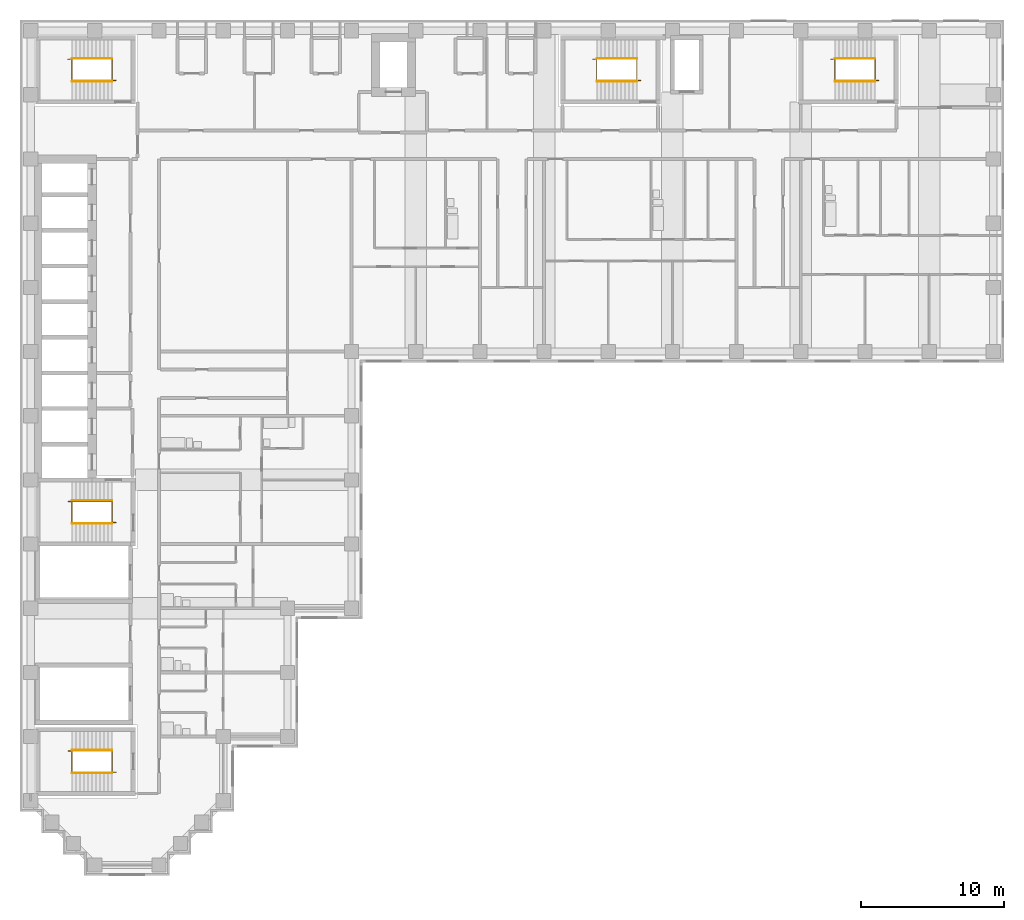
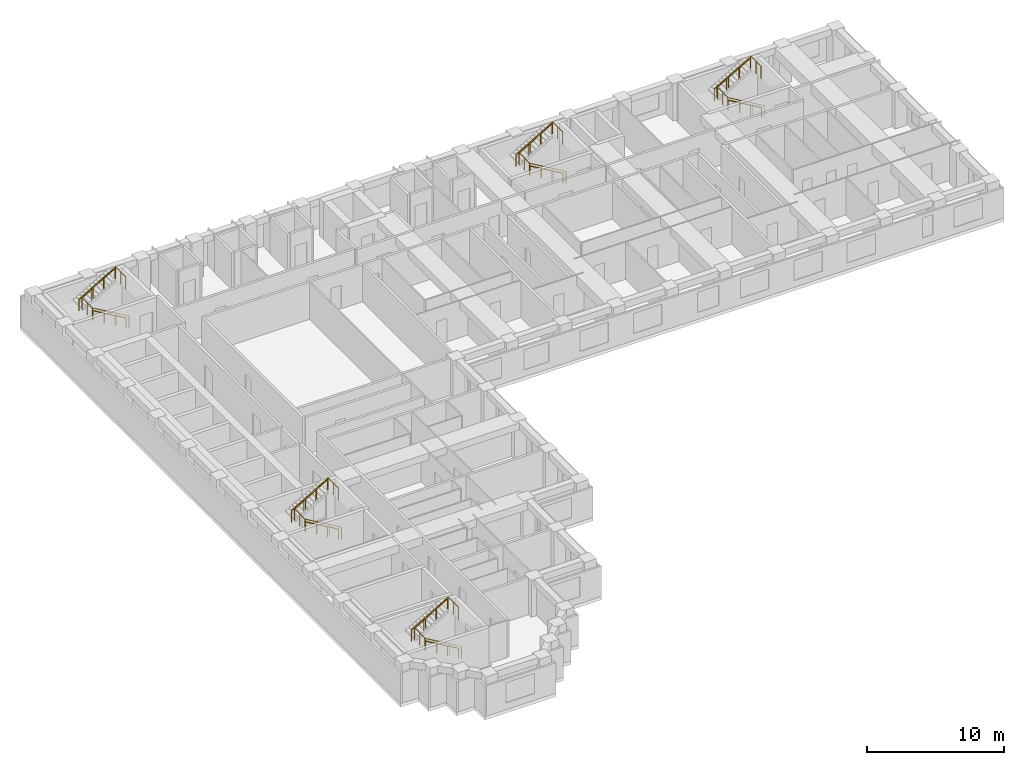
# One storey, part 11 of 12: 15 railings.
"""IFC4 building model written with IfcOpenShell, lengths in metres."""

from ifc_helpers import new_model, si_unit, direction, frame, origin, origin_2d, place, context, subcontext, project, spatial, circle, extrude, material, type_object, element, save


model = new_model("IFC4")

# Units and contexts
model_context = context("Model", 3, precision=1e-05, world=origin(), true_north=direction((0.0, 1.0)))
body_context = subcontext(model_context, "Body", "Model", "MODEL_VIEW")
ifc_project = project(units=[si_unit("LENGTHUNIT", "METRE"), si_unit("AREAUNIT", "SQUARE_METRE"), si_unit("VOLUMEUNIT", "CUBIC_METRE"), si_unit("PLANEANGLEUNIT", "RADIAN"), si_unit("MASSUNIT", "GRAM", prefix="KILO")], contexts=[model_context])

# Site, building, storey
site_placement = place(None, origin())
site = spatial("IfcSite", under=ifc_project, at=site_placement, CompositionType="ELEMENT")
building_placement = place(site_placement, origin())
building = spatial("IfcBuilding", under=site, at=building_placement, Name="Firuza Court", CompositionType="ELEMENT")
storey_placement = place(building_placement, frame((0.0, 0.0, 152.0)))
storey = spatial("IfcBuildingStorey", under=building, at=storey_placement, Name="L38", CompositionType="ELEMENT", Elevation=152.0)

# Railings
ifc_material_1 = material(Name="Steel S355", Category="steel")
railing_type_1 = type_object("IfcRailingType", Name="Handrail 900", PredefinedType="HANDRAIL", material=ifc_material_1)
railing_1_placement = place(storey_placement, frame((42.5, 54.949951171875, 0.16357421875)))
element("IfcRailing", 1, at=railing_1_placement, inside=storey, type_object=railing_type_1, Name="Handrail S1 flight 1", PredefinedType="HANDRAIL", context=body_context, shape_type="SweptSolid", body=[
    extrude(circle(Radius=0.02490234375, at=origin_2d()), frame((0.0, 0.0, 0.875), z_axis=(-0.863360870873, 0.0, 0.504586966384), x_axis=(0.0, -1.0, 0.0)), (0.0, 0.0, 1.0), 3.2431640625),
    extrude(circle(Radius=0.02001953125, at=origin_2d()), origin(), (0.0, 0.0, 1.0), 0.849853515625),
    extrude(circle(Radius=0.02001953125, at=origin_2d()), frame((-0.933349609375, 0.0, 0.54541015625)), (0.0, 0.0, 1.0), 0.849853515625),
    extrude(circle(Radius=0.02001953125, at=origin_2d()), frame((-1.86669921875, 0.0, 1.091064453125)), (0.0, 0.0, 1.0), 0.849853515625),
    extrude(circle(Radius=0.02001953125, at=origin_2d()), frame((-2.800048828125, 0.0, 1.636474609375)), (0.0, 0.0, 1.0), 0.849853515625),
])
railing_2_placement = place(storey_placement, frame((39.699951171875, 56.550048828125, 1.963623046875)))
element("IfcRailing", 2, at=railing_2_placement, inside=storey, type_object=railing_type_1, Name="Handrail S1 flight 2", PredefinedType="HANDRAIL", context=body_context, shape_type="SweptSolid", body=[
    extrude(circle(Radius=0.02490234375, at=origin_2d()), frame((0.0, 0.0, 0.875), z_axis=(0.863360870873, 0.0, 0.504586966384), x_axis=(0.0, 1.0, 0.0)), (0.0, 0.0, 1.0), 3.2431640625),
    extrude(circle(Radius=0.02001953125, at=origin_2d()), origin(), (0.0, 0.0, 1.0), 0.849853515625),
    extrude(circle(Radius=0.02001953125, at=origin_2d()), frame((0.933349609375, 0.0, 0.54541015625)), (0.0, 0.0, 1.0), 0.849853515625),
    extrude(circle(Radius=0.02001953125, at=origin_2d()), frame((1.86669921875, 0.0, 1.091064453125)), (0.0, 0.0, 1.0), 0.849853515625),
    extrude(circle(Radius=0.02001953125, at=origin_2d()), frame((2.800048828125, 0.0, 1.636474609375)), (0.0, 0.0, 1.0), 0.849853515625),
])
railing_3_placement = place(storey_placement, frame((5.699951171875, 23.949951171875, 0.16357421875)))
element("IfcRailing", 3, at=railing_3_placement, inside=storey, type_object=railing_type_1, Name="Handrail S2 flight 1", PredefinedType="HANDRAIL", context=body_context, shape_type="SweptSolid", body=[
    extrude(circle(Radius=0.02490234375, at=origin_2d()), frame((0.0, 0.0, 0.875), z_axis=(-0.863360870873, 0.0, 0.504586966384), x_axis=(0.0, -1.0, 0.0)), (0.0, 0.0, 1.0), 3.2431640625),
    extrude(circle(Radius=0.02001953125, at=origin_2d()), origin(), (0.0, 0.0, 1.0), 0.849853515625),
    extrude(circle(Radius=0.02001953125, at=origin_2d()), frame((-0.933349609375, 0.0, 0.54541015625)), (0.0, 0.0, 1.0), 0.849853515625),
    extrude(circle(Radius=0.02001953125, at=origin_2d()), frame((-1.86669921875, 0.0, 1.091064453125)), (0.0, 0.0, 1.0), 0.849853515625),
    extrude(circle(Radius=0.02001953125, at=origin_2d()), frame((-2.800048828125, 0.0, 1.636474609375)), (0.0, 0.0, 1.0), 0.849853515625),
])
railing_4_placement = place(storey_placement, frame((2.89990234375, 25.550048828125, 1.963623046875)))
element("IfcRailing", 4, at=railing_4_placement, inside=storey, type_object=railing_type_1, Name="Handrail S2 flight 2", PredefinedType="HANDRAIL", context=body_context, shape_type="SweptSolid", body=[
    extrude(circle(Radius=0.02490234375, at=origin_2d()), frame((0.0, 0.0, 0.875), z_axis=(0.863360870873, 0.0, 0.504586966384), x_axis=(0.0, 1.0, 0.0)), (0.0, 0.0, 1.0), 3.2431640625),
    extrude(circle(Radius=0.02001953125, at=origin_2d()), origin(), (0.0, 0.0, 1.0), 0.849853515625),
    extrude(circle(Radius=0.02001953125, at=origin_2d()), frame((0.933349609375, 0.0, 0.54541015625)), (0.0, 0.0, 1.0), 0.849853515625),
    extrude(circle(Radius=0.02001953125, at=origin_2d()), frame((1.86669921875, 0.0, 1.091064453125)), (0.0, 0.0, 1.0), 0.849853515625),
    extrude(circle(Radius=0.02001953125, at=origin_2d()), frame((2.800048828125, 0.0, 1.636474609375)), (0.0, 0.0, 1.0), 0.849853515625),
])
railing_5_placement = place(storey_placement, frame((5.699951171875, 54.949951171875, 0.16357421875)))
element("IfcRailing", 5, at=railing_5_placement, inside=storey, type_object=railing_type_1, Name="Handrail S3 flight 1", PredefinedType="HANDRAIL", context=body_context, shape_type="SweptSolid", body=[
    extrude(circle(Radius=0.02490234375, at=origin_2d()), frame((0.0, 0.0, 0.875), z_axis=(-0.863360870873, 0.0, 0.504586966384), x_axis=(0.0, -1.0, 0.0)), (0.0, 0.0, 1.0), 3.2431640625),
    extrude(circle(Radius=0.02001953125, at=origin_2d()), origin(), (0.0, 0.0, 1.0), 0.849853515625),
    extrude(circle(Radius=0.02001953125, at=origin_2d()), frame((-0.933349609375, 0.0, 0.54541015625)), (0.0, 0.0, 1.0), 0.849853515625),
    extrude(circle(Radius=0.02001953125, at=origin_2d()), frame((-1.86669921875, 0.0, 1.091064453125)), (0.0, 0.0, 1.0), 0.849853515625),
    extrude(circle(Radius=0.02001953125, at=origin_2d()), frame((-2.800048828125, 0.0, 1.636474609375)), (0.0, 0.0, 1.0), 0.849853515625),
])
railing_6_placement = place(storey_placement, frame((2.89990234375, 56.550048828125, 1.963623046875)))
element("IfcRailing", 6, at=railing_6_placement, inside=storey, type_object=railing_type_1, Name="Handrail S3 flight 2", PredefinedType="HANDRAIL", context=body_context, shape_type="SweptSolid", body=[
    extrude(circle(Radius=0.02490234375, at=origin_2d()), frame((0.0, 0.0, 0.875), z_axis=(0.863360870873, 0.0, 0.504586966384), x_axis=(0.0, 1.0, 0.0)), (0.0, 0.0, 1.0), 3.2431640625),
    extrude(circle(Radius=0.02001953125, at=origin_2d()), origin(), (0.0, 0.0, 1.0), 0.849853515625),
    extrude(circle(Radius=0.02001953125, at=origin_2d()), frame((0.933349609375, 0.0, 0.54541015625)), (0.0, 0.0, 1.0), 0.849853515625),
    extrude(circle(Radius=0.02001953125, at=origin_2d()), frame((1.86669921875, 0.0, 1.091064453125)), (0.0, 0.0, 1.0), 0.849853515625),
    extrude(circle(Radius=0.02001953125, at=origin_2d()), frame((2.800048828125, 0.0, 1.636474609375)), (0.0, 0.0, 1.0), 0.849853515625),
])
railing_7_placement = place(storey_placement, frame((59.199951171875, 54.949951171875, 0.16357421875)))
element("IfcRailing", 7, at=railing_7_placement, inside=storey, type_object=railing_type_1, Name="Handrail S4 flight 1", PredefinedType="HANDRAIL", context=body_context, shape_type="SweptSolid", body=[
    extrude(circle(Radius=0.02490234375, at=origin_2d()), frame((0.0, 0.0, 0.875), z_axis=(-0.863360870873, 0.0, 0.504586966384), x_axis=(0.0, -1.0, 0.0)), (0.0, 0.0, 1.0), 3.2431640625),
    extrude(circle(Radius=0.02001953125, at=origin_2d()), origin(), (0.0, 0.0, 1.0), 0.849853515625),
    extrude(circle(Radius=0.02001953125, at=origin_2d()), frame((-0.933349609375, 0.0, 0.54541015625)), (0.0, 0.0, 1.0), 0.849853515625),
    extrude(circle(Radius=0.02001953125, at=origin_2d()), frame((-1.86669921875, 0.0, 1.091064453125)), (0.0, 0.0, 1.0), 0.849853515625),
    extrude(circle(Radius=0.02001953125, at=origin_2d()), frame((-2.800048828125, 0.0, 1.636474609375)), (0.0, 0.0, 1.0), 0.849853515625),
])
railing_8_placement = place(storey_placement, frame((56.39990234375, 56.550048828125, 1.963623046875)))
element("IfcRailing", 8, at=railing_8_placement, inside=storey, type_object=railing_type_1, Name="Handrail S4 flight 2", PredefinedType="HANDRAIL", context=body_context, shape_type="SweptSolid", body=[
    extrude(circle(Radius=0.02490234375, at=origin_2d()), frame((0.0, 0.0, 0.875), z_axis=(0.863360870873, 0.0, 0.504586966384), x_axis=(0.0, 1.0, 0.0)), (0.0, 0.0, 1.0), 3.2431640625),
    extrude(circle(Radius=0.02001953125, at=origin_2d()), origin(), (0.0, 0.0, 1.0), 0.849853515625),
    extrude(circle(Radius=0.02001953125, at=origin_2d()), frame((0.933349609375, 0.0, 0.54541015625)), (0.0, 0.0, 1.0), 0.849853515625),
    extrude(circle(Radius=0.02001953125, at=origin_2d()), frame((1.86669921875, 0.0, 1.091064453125)), (0.0, 0.0, 1.0), 0.849853515625),
    extrude(circle(Radius=0.02001953125, at=origin_2d()), frame((2.800048828125, 0.0, 1.636474609375)), (0.0, 0.0, 1.0), 0.849853515625),
])
railing_9_placement = place(storey_placement, frame((5.699951171875, 6.449951171875, 0.16357421875)))
element("IfcRailing", 9, at=railing_9_placement, inside=storey, type_object=railing_type_1, Name="Handrail S5 flight 1", PredefinedType="HANDRAIL", context=body_context, shape_type="SweptSolid", body=[
    extrude(circle(Radius=0.02490234375, at=origin_2d()), frame((0.0, 0.0, 0.875), z_axis=(-0.863360870873, 0.0, 0.504586966384), x_axis=(0.0, -1.0, 0.0)), (0.0, 0.0, 1.0), 3.2431640625),
    extrude(circle(Radius=0.02001953125, at=origin_2d()), origin(), (0.0, 0.0, 1.0), 0.849853515625),
    extrude(circle(Radius=0.02001953125, at=origin_2d()), frame((-0.933349609375, 0.0, 0.54541015625)), (0.0, 0.0, 1.0), 0.849853515625),
    extrude(circle(Radius=0.02001953125, at=origin_2d()), frame((-1.86669921875, 0.0, 1.091064453125)), (0.0, 0.0, 1.0), 0.849853515625),
    extrude(circle(Radius=0.02001953125, at=origin_2d()), frame((-2.800048828125, 0.0, 1.636474609375)), (0.0, 0.0, 1.0), 0.849853515625),
])
railing_10_placement = place(storey_placement, frame((2.89990234375, 8.050048828125, 1.963623046875)))
element("IfcRailing", 10, at=railing_10_placement, inside=storey, type_object=railing_type_1, Name="Handrail S5 flight 2", PredefinedType="HANDRAIL", context=body_context, shape_type="SweptSolid", body=[
    extrude(circle(Radius=0.02490234375, at=origin_2d()), frame((0.0, 0.0, 0.875), z_axis=(0.863360870873, 0.0, 0.504586966384), x_axis=(0.0, 1.0, 0.0)), (0.0, 0.0, 1.0), 3.2431640625),
    extrude(circle(Radius=0.02001953125, at=origin_2d()), origin(), (0.0, 0.0, 1.0), 0.849853515625),
    extrude(circle(Radius=0.02001953125, at=origin_2d()), frame((0.933349609375, 0.0, 0.54541015625)), (0.0, 0.0, 1.0), 0.849853515625),
    extrude(circle(Radius=0.02001953125, at=origin_2d()), frame((1.86669921875, 0.0, 1.091064453125)), (0.0, 0.0, 1.0), 0.849853515625),
    extrude(circle(Radius=0.02001953125, at=origin_2d()), frame((2.800048828125, 0.0, 1.636474609375)), (0.0, 0.0, 1.0), 0.849853515625),
])
ifc_material_2 = material(Name="Steel S355", Category="steel")
railing_type_2 = type_object("IfcRailingType", Name="Stair guard 1100", PredefinedType="GUARDRAIL", material=ifc_material_2)
railing_11_placement = place(storey_placement, frame((42.780029296875, 55.010009765625, 0.0)))
element("IfcRailing", 11, at=railing_11_placement, inside=storey, type_object=railing_type_2, Name="Stair well guard S1", PredefinedType="GUARDRAIL", context=body_context, shape_type="SweptSolid", body=[
    extrude(circle(Radius=0.02490234375, at=origin_2d()), frame((0.0, 0.0, 1.0751953125), z_axis=(-0.863371556955, 0.0, 0.504568681787), x_axis=(0.0, -1.0, 0.0)), (0.0, 0.0, 1.0), 3.5673828125),
    extrude(circle(Radius=0.02490234375, at=origin_2d()), frame((-3.080078125, 0.0, 2.875), z_axis=(0.0, 1.0, 0.0), x_axis=(-1.0, 0.0, 0.0)), (0.0, 0.0, 1.0), 1.47998046875),
    extrude(circle(Radius=0.02490234375, at=origin_2d()), frame((-3.080078125, 1.47998046875, 2.875), z_axis=(-1.0, 0.0, 0.0), x_axis=(0.0, -1.0, 0.0)), (0.0, 0.0, 1.0), 0.280029296875),
    extrude(circle(Radius=0.02490234375, at=origin_2d()), frame((-3.360107421875, 1.47998046875, 2.875), z_axis=(0.863371556955, 0.0, 0.504568681787), x_axis=(0.0, 1.0, 0.0)), (0.0, 0.0, 1.0), 3.5673828125),
    extrude(circle(Radius=0.02490234375, at=origin_2d()), frame((-0.280029296875, 1.47998046875, 4.67529296875), z_axis=(0.0, -1.0, 0.0), x_axis=(1.0, 0.0, 0.0)), (0.0, 0.0, 1.0), 1.47998046875),
    extrude(circle(Radius=0.02490234375, at=origin_2d()), origin(), (0.0, 0.0, 1.0), 1.050048828125),
    extrude(circle(Radius=0.02490234375, at=origin_2d()), frame((-1.026611328125, 0.0, 0.60009765625)), (0.0, 0.0, 1.0), 1.050048828125),
    extrude(circle(Radius=0.02490234375, at=origin_2d()), frame((-2.053466796875, 0.0, 1.199951171875)), (0.0, 0.0, 1.0), 1.050048828125),
    extrude(circle(Radius=0.02490234375, at=origin_2d()), frame((-3.080078125, 0.0, 1.800048828125)), (0.0, 0.0, 1.0), 1.050048828125),
    extrude(circle(Radius=0.02490234375, at=origin_2d()), frame((-3.080078125, 0.739990234375, 1.800048828125)), (0.0, 0.0, 1.0), 1.050048828125),
    extrude(circle(Radius=0.02490234375, at=origin_2d()), frame((-3.080078125, 1.47998046875, 1.800048828125)), (0.0, 0.0, 1.0), 1.050048828125),
    extrude(circle(Radius=0.02490234375, at=origin_2d()), frame((-3.360107421875, 1.47998046875, 1.800048828125)), (0.0, 0.0, 1.0), 1.050048828125),
    extrude(circle(Radius=0.02490234375, at=origin_2d()), frame((-2.33349609375, 1.47998046875, 2.400146484375)), (0.0, 0.0, 1.0), 1.050048828125),
    extrude(circle(Radius=0.02490234375, at=origin_2d()), frame((-1.306640625, 1.47998046875, 3.0)), (0.0, 0.0, 1.0), 1.050048828125),
    extrude(circle(Radius=0.02490234375, at=origin_2d()), frame((-0.280029296875, 1.47998046875, 3.60009765625)), (0.0, 0.0, 1.0), 1.050048828125),
    extrude(circle(Radius=0.02490234375, at=origin_2d()), frame((-0.280029296875, 0.739990234375, 3.60009765625)), (0.0, 0.0, 1.0), 1.050048828125),
    extrude(circle(Radius=0.02490234375, at=origin_2d()), frame((-0.280029296875, 0.0, 3.60009765625)), (0.0, 0.0, 1.0), 1.050048828125),
])
railing_12_placement = place(storey_placement, frame((5.97998046875, 24.010009765625, 0.0)))
element("IfcRailing", 12, at=railing_12_placement, inside=storey, type_object=railing_type_2, Name="Stair well guard S2", PredefinedType="GUARDRAIL", context=body_context, shape_type="SweptSolid", body=[
    extrude(circle(Radius=0.02490234375, at=origin_2d()), frame((0.0, 0.0, 1.0751953125), z_axis=(-0.863371556955, 0.0, 0.504568681787), x_axis=(0.0, -1.0, 0.0)), (0.0, 0.0, 1.0), 3.5673828125),
    extrude(circle(Radius=0.02490234375, at=origin_2d()), frame((-3.080078125, 0.0, 2.875), z_axis=(0.0, 1.0, 0.0), x_axis=(-1.0, 0.0, 0.0)), (0.0, 0.0, 1.0), 1.47998046875),
    extrude(circle(Radius=0.02490234375, at=origin_2d()), frame((-3.080078125, 1.47998046875, 2.875), z_axis=(-1.0, 0.0, 0.0), x_axis=(0.0, -1.0, 0.0)), (0.0, 0.0, 1.0), 0.27978515625),
    extrude(circle(Radius=0.02490234375, at=origin_2d()), frame((-3.35986328125, 1.47998046875, 2.875), z_axis=(0.863354132664, 0.0, 0.504598495452), x_axis=(0.0, 1.0, 0.0)), (0.0, 0.0, 1.0), 3.5673828125),
    extrude(circle(Radius=0.02490234375, at=origin_2d()), frame((-0.280029296875, 1.47998046875, 4.67529296875), z_axis=(0.0, -1.0, 0.0), x_axis=(1.0, 0.0, 0.0)), (0.0, 0.0, 1.0), 1.47998046875),
    extrude(circle(Radius=0.02490234375, at=origin_2d()), origin(), (0.0, 0.0, 1.0), 1.050048828125),
    extrude(circle(Radius=0.02490234375, at=origin_2d()), frame((-1.026611328125, 0.0, 0.60009765625)), (0.0, 0.0, 1.0), 1.050048828125),
    extrude(circle(Radius=0.02490234375, at=origin_2d()), frame((-2.053466796875, 0.0, 1.199951171875)), (0.0, 0.0, 1.0), 1.050048828125),
    extrude(circle(Radius=0.02490234375, at=origin_2d()), frame((-3.080078125, 0.0, 1.800048828125)), (0.0, 0.0, 1.0), 1.050048828125),
    extrude(circle(Radius=0.02490234375, at=origin_2d()), frame((-3.080078125, 0.739990234375, 1.800048828125)), (0.0, 0.0, 1.0), 1.050048828125),
    extrude(circle(Radius=0.02490234375, at=origin_2d()), frame((-3.080078125, 1.47998046875, 1.800048828125)), (0.0, 0.0, 1.0), 1.050048828125),
    extrude(circle(Radius=0.02490234375, at=origin_2d()), frame((-3.35986328125, 1.47998046875, 1.800048828125)), (0.0, 0.0, 1.0), 1.050048828125),
    extrude(circle(Radius=0.02490234375, at=origin_2d()), frame((-2.333251953125, 1.47998046875, 2.400146484375)), (0.0, 0.0, 1.0), 1.050048828125),
    extrude(circle(Radius=0.02490234375, at=origin_2d()), frame((-1.306640625, 1.47998046875, 3.0)), (0.0, 0.0, 1.0), 1.050048828125),
    extrude(circle(Radius=0.02490234375, at=origin_2d()), frame((-0.280029296875, 1.47998046875, 3.60009765625)), (0.0, 0.0, 1.0), 1.050048828125),
    extrude(circle(Radius=0.02490234375, at=origin_2d()), frame((-0.280029296875, 0.739990234375, 3.60009765625)), (0.0, 0.0, 1.0), 1.050048828125),
    extrude(circle(Radius=0.02490234375, at=origin_2d()), frame((-0.280029296875, 0.0, 3.60009765625)), (0.0, 0.0, 1.0), 1.050048828125),
])
railing_13_placement = place(storey_placement, frame((5.97998046875, 55.010009765625, 0.0)))
element("IfcRailing", 13, at=railing_13_placement, inside=storey, type_object=railing_type_2, Name="Stair well guard S3", PredefinedType="GUARDRAIL", context=body_context, shape_type="SweptSolid", body=[
    extrude(circle(Radius=0.02490234375, at=origin_2d()), frame((0.0, 0.0, 1.0751953125), z_axis=(-0.863371556955, 0.0, 0.504568681787), x_axis=(0.0, -1.0, 0.0)), (0.0, 0.0, 1.0), 3.5673828125),
    extrude(circle(Radius=0.02490234375, at=origin_2d()), frame((-3.080078125, 0.0, 2.875), z_axis=(0.0, 1.0, 0.0), x_axis=(-1.0, 0.0, 0.0)), (0.0, 0.0, 1.0), 1.47998046875),
    extrude(circle(Radius=0.02490234375, at=origin_2d()), frame((-3.080078125, 1.47998046875, 2.875), z_axis=(-1.0, 0.0, 0.0), x_axis=(0.0, -1.0, 0.0)), (0.0, 0.0, 1.0), 0.27978515625),
    extrude(circle(Radius=0.02490234375, at=origin_2d()), frame((-3.35986328125, 1.47998046875, 2.875), z_axis=(0.863354132664, 0.0, 0.504598495452), x_axis=(0.0, 1.0, 0.0)), (0.0, 0.0, 1.0), 3.5673828125),
    extrude(circle(Radius=0.02490234375, at=origin_2d()), frame((-0.280029296875, 1.47998046875, 4.67529296875), z_axis=(0.0, -1.0, 0.0), x_axis=(1.0, 0.0, 0.0)), (0.0, 0.0, 1.0), 1.47998046875),
    extrude(circle(Radius=0.02490234375, at=origin_2d()), origin(), (0.0, 0.0, 1.0), 1.050048828125),
    extrude(circle(Radius=0.02490234375, at=origin_2d()), frame((-1.026611328125, 0.0, 0.60009765625)), (0.0, 0.0, 1.0), 1.050048828125),
    extrude(circle(Radius=0.02490234375, at=origin_2d()), frame((-2.053466796875, 0.0, 1.199951171875)), (0.0, 0.0, 1.0), 1.050048828125),
    extrude(circle(Radius=0.02490234375, at=origin_2d()), frame((-3.080078125, 0.0, 1.800048828125)), (0.0, 0.0, 1.0), 1.050048828125),
    extrude(circle(Radius=0.02490234375, at=origin_2d()), frame((-3.080078125, 0.739990234375, 1.800048828125)), (0.0, 0.0, 1.0), 1.050048828125),
    extrude(circle(Radius=0.02490234375, at=origin_2d()), frame((-3.080078125, 1.47998046875, 1.800048828125)), (0.0, 0.0, 1.0), 1.050048828125),
    extrude(circle(Radius=0.02490234375, at=origin_2d()), frame((-3.35986328125, 1.47998046875, 1.800048828125)), (0.0, 0.0, 1.0), 1.050048828125),
    extrude(circle(Radius=0.02490234375, at=origin_2d()), frame((-2.333251953125, 1.47998046875, 2.400146484375)), (0.0, 0.0, 1.0), 1.050048828125),
    extrude(circle(Radius=0.02490234375, at=origin_2d()), frame((-1.306640625, 1.47998046875, 3.0)), (0.0, 0.0, 1.0), 1.050048828125),
    extrude(circle(Radius=0.02490234375, at=origin_2d()), frame((-0.280029296875, 1.47998046875, 3.60009765625)), (0.0, 0.0, 1.0), 1.050048828125),
    extrude(circle(Radius=0.02490234375, at=origin_2d()), frame((-0.280029296875, 0.739990234375, 3.60009765625)), (0.0, 0.0, 1.0), 1.050048828125),
    extrude(circle(Radius=0.02490234375, at=origin_2d()), frame((-0.280029296875, 0.0, 3.60009765625)), (0.0, 0.0, 1.0), 1.050048828125),
])
railing_14_placement = place(storey_placement, frame((59.47998046875, 55.010009765625, 0.0)))
element("IfcRailing", 14, at=railing_14_placement, inside=storey, type_object=railing_type_2, Name="Stair well guard S4", PredefinedType="GUARDRAIL", context=body_context, shape_type="SweptSolid", body=[
    extrude(circle(Radius=0.02490234375, at=origin_2d()), frame((0.0, 0.0, 1.0751953125), z_axis=(-0.863371556955, 0.0, 0.504568681787), x_axis=(0.0, -1.0, 0.0)), (0.0, 0.0, 1.0), 3.5673828125),
    extrude(circle(Radius=0.02490234375, at=origin_2d()), frame((-3.080078125, 0.0, 2.875), z_axis=(0.0, 1.0, 0.0), x_axis=(-1.0, 0.0, 0.0)), (0.0, 0.0, 1.0), 1.47998046875),
    extrude(circle(Radius=0.02490234375, at=origin_2d()), frame((-3.080078125, 1.47998046875, 2.875), z_axis=(-1.0, 0.0, 0.0), x_axis=(0.0, -1.0, 0.0)), (0.0, 0.0, 1.0), 0.27978515625),
    extrude(circle(Radius=0.02490234375, at=origin_2d()), frame((-3.35986328125, 1.47998046875, 2.875), z_axis=(0.863354132664, 0.0, 0.504598495452), x_axis=(0.0, 1.0, 0.0)), (0.0, 0.0, 1.0), 3.5673828125),
    extrude(circle(Radius=0.02490234375, at=origin_2d()), frame((-0.280029296875, 1.47998046875, 4.67529296875), z_axis=(0.0, -1.0, 0.0), x_axis=(1.0, 0.0, 0.0)), (0.0, 0.0, 1.0), 1.47998046875),
    extrude(circle(Radius=0.02490234375, at=origin_2d()), origin(), (0.0, 0.0, 1.0), 1.050048828125),
    extrude(circle(Radius=0.02490234375, at=origin_2d()), frame((-1.026611328125, 0.0, 0.60009765625)), (0.0, 0.0, 1.0), 1.050048828125),
    extrude(circle(Radius=0.02490234375, at=origin_2d()), frame((-2.053466796875, 0.0, 1.199951171875)), (0.0, 0.0, 1.0), 1.050048828125),
    extrude(circle(Radius=0.02490234375, at=origin_2d()), frame((-3.080078125, 0.0, 1.800048828125)), (0.0, 0.0, 1.0), 1.050048828125),
    extrude(circle(Radius=0.02490234375, at=origin_2d()), frame((-3.080078125, 0.739990234375, 1.800048828125)), (0.0, 0.0, 1.0), 1.050048828125),
    extrude(circle(Radius=0.02490234375, at=origin_2d()), frame((-3.080078125, 1.47998046875, 1.800048828125)), (0.0, 0.0, 1.0), 1.050048828125),
    extrude(circle(Radius=0.02490234375, at=origin_2d()), frame((-3.35986328125, 1.47998046875, 1.800048828125)), (0.0, 0.0, 1.0), 1.050048828125),
    extrude(circle(Radius=0.02490234375, at=origin_2d()), frame((-2.333251953125, 1.47998046875, 2.400146484375)), (0.0, 0.0, 1.0), 1.050048828125),
    extrude(circle(Radius=0.02490234375, at=origin_2d()), frame((-1.306640625, 1.47998046875, 3.0)), (0.0, 0.0, 1.0), 1.050048828125),
    extrude(circle(Radius=0.02490234375, at=origin_2d()), frame((-0.280029296875, 1.47998046875, 3.60009765625)), (0.0, 0.0, 1.0), 1.050048828125),
    extrude(circle(Radius=0.02490234375, at=origin_2d()), frame((-0.280029296875, 0.739990234375, 3.60009765625)), (0.0, 0.0, 1.0), 1.050048828125),
    extrude(circle(Radius=0.02490234375, at=origin_2d()), frame((-0.280029296875, 0.0, 3.60009765625)), (0.0, 0.0, 1.0), 1.050048828125),
])
railing_15_placement = place(storey_placement, frame((5.97998046875, 6.510009765625, 0.0)))
element("IfcRailing", 15, at=railing_15_placement, inside=storey, type_object=railing_type_2, Name="Stair well guard S5", PredefinedType="GUARDRAIL", context=body_context, shape_type="SweptSolid", body=[
    extrude(circle(Radius=0.02490234375, at=origin_2d()), frame((0.0, 0.0, 1.0751953125), z_axis=(-0.863371556955, 0.0, 0.504568681787), x_axis=(0.0, -1.0, 0.0)), (0.0, 0.0, 1.0), 3.5673828125),
    extrude(circle(Radius=0.02490234375, at=origin_2d()), frame((-3.080078125, 0.0, 2.875), z_axis=(0.0, 1.0, 0.0), x_axis=(-1.0, 0.0, 0.0)), (0.0, 0.0, 1.0), 1.47998046875),
    extrude(circle(Radius=0.02490234375, at=origin_2d()), frame((-3.080078125, 1.47998046875, 2.875), z_axis=(-1.0, 0.0, 0.0), x_axis=(0.0, -1.0, 0.0)), (0.0, 0.0, 1.0), 0.27978515625),
    extrude(circle(Radius=0.02490234375, at=origin_2d()), frame((-3.35986328125, 1.47998046875, 2.875), z_axis=(0.863354132664, 0.0, 0.504598495452), x_axis=(0.0, 1.0, 0.0)), (0.0, 0.0, 1.0), 3.5673828125),
    extrude(circle(Radius=0.02490234375, at=origin_2d()), frame((-0.280029296875, 1.47998046875, 4.67529296875), z_axis=(0.0, -1.0, 0.0), x_axis=(1.0, 0.0, 0.0)), (0.0, 0.0, 1.0), 1.47998046875),
    extrude(circle(Radius=0.02490234375, at=origin_2d()), origin(), (0.0, 0.0, 1.0), 1.050048828125),
    extrude(circle(Radius=0.02490234375, at=origin_2d()), frame((-1.026611328125, 0.0, 0.60009765625)), (0.0, 0.0, 1.0), 1.050048828125),
    extrude(circle(Radius=0.02490234375, at=origin_2d()), frame((-2.053466796875, 0.0, 1.199951171875)), (0.0, 0.0, 1.0), 1.050048828125),
    extrude(circle(Radius=0.02490234375, at=origin_2d()), frame((-3.080078125, 0.0, 1.800048828125)), (0.0, 0.0, 1.0), 1.050048828125),
    extrude(circle(Radius=0.02490234375, at=origin_2d()), frame((-3.080078125, 0.739990234375, 1.800048828125)), (0.0, 0.0, 1.0), 1.050048828125),
    extrude(circle(Radius=0.02490234375, at=origin_2d()), frame((-3.080078125, 1.47998046875, 1.800048828125)), (0.0, 0.0, 1.0), 1.050048828125),
    extrude(circle(Radius=0.02490234375, at=origin_2d()), frame((-3.35986328125, 1.47998046875, 1.800048828125)), (0.0, 0.0, 1.0), 1.050048828125),
    extrude(circle(Radius=0.02490234375, at=origin_2d()), frame((-2.333251953125, 1.47998046875, 2.400146484375)), (0.0, 0.0, 1.0), 1.050048828125),
    extrude(circle(Radius=0.02490234375, at=origin_2d()), frame((-1.306640625, 1.47998046875, 3.0)), (0.0, 0.0, 1.0), 1.050048828125),
    extrude(circle(Radius=0.02490234375, at=origin_2d()), frame((-0.280029296875, 1.47998046875, 3.60009765625)), (0.0, 0.0, 1.0), 1.050048828125),
    extrude(circle(Radius=0.02490234375, at=origin_2d()), frame((-0.280029296875, 0.739990234375, 3.60009765625)), (0.0, 0.0, 1.0), 1.050048828125),
    extrude(circle(Radius=0.02490234375, at=origin_2d()), frame((-0.280029296875, 0.0, 3.60009765625)), (0.0, 0.0, 1.0), 1.050048828125),
])

save(model, "model.ifc")
